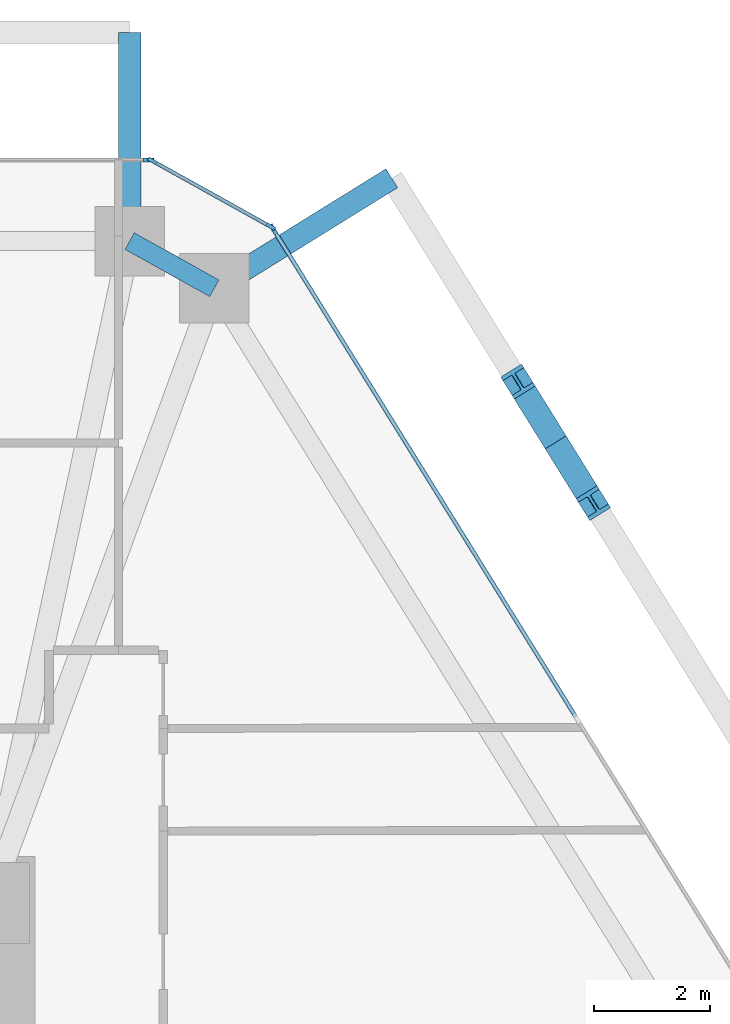
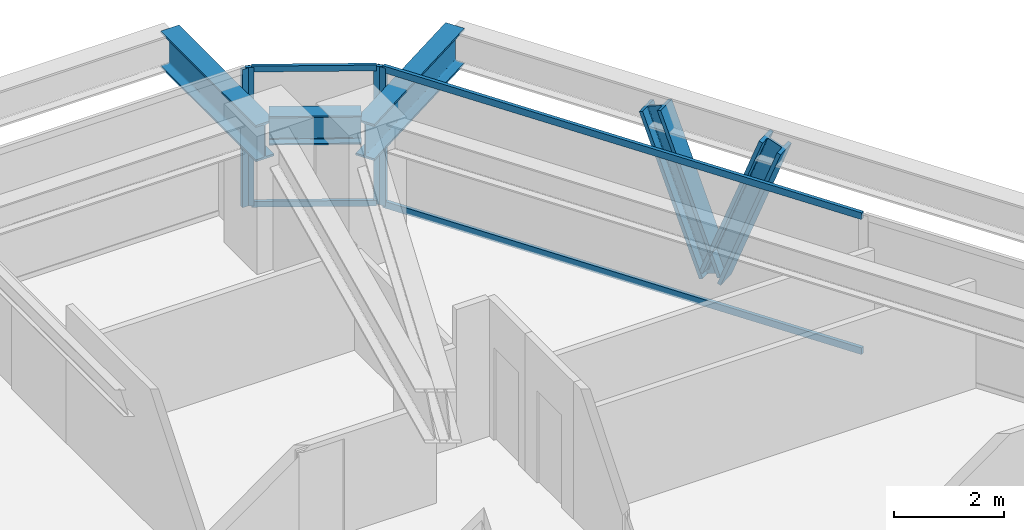
# One storey, part 8 of 14: 10 members, 3 beams, 3 elements without a shape of their own.
"""IFC4 building model written with IfcOpenShell, lengths in metres."""

from ifc_helpers import new_model, si_unit, direction, frame, origin, origin_2d, place, context, subcontext, project, spatial, rectangle, i_section, extrude, source, transform, mapped, material, layer, layer_set, material_profile, profile_set, type_object, type_shapes, element, aggregate, save


model = new_model("IFC4")

# Units and contexts
model_context = context("Model", 3, precision=1e-05, world=origin(), true_north=direction((0.0, 1.0)))
body_context = subcontext(model_context, "Body", "Model", "MODEL_VIEW")
ifc_project = project(units=[si_unit("LENGTHUNIT", "METRE"), si_unit("AREAUNIT", "SQUARE_METRE"), si_unit("VOLUMEUNIT", "CUBIC_METRE"), si_unit("PLANEANGLEUNIT", "RADIAN"), si_unit("MASSUNIT", "GRAM", prefix="KILO")], contexts=[model_context])

# Site, building, storey
site_placement = place(None, origin())
site = spatial("IfcSite", under=ifc_project, at=site_placement, CompositionType="ELEMENT")
building_placement = place(site_placement, origin())
building = spatial("IfcBuilding", under=site, at=building_placement, Name="Durnholm Broadcast Tower", CompositionType="ELEMENT")
storey_placement = place(building_placement, frame((0.0, 0.0, 114.0)))
storey = spatial("IfcBuildingStorey", under=building, at=storey_placement, Name="L30", CompositionType="ELEMENT", Elevation=114.0)

# Beams
ifc_material_1 = material(Name="Steel ASTM A992 Grade 50", Category="steel")
ifc_material_profile_1 = material_profile(ifc_material_1, i_section(OverallWidth=0.385009765625, OverallDepth=0.802978515625, WebThickness=0.023681640625, FlangeThickness=0.0419921875, FilletRadius=0.032958984375, at=origin_2d()), Name="W30X261")
ifc_profile_set_1 = profile_set([ifc_material_profile_1], Name="Steel ASTM A992 Grade 50")
beam_type_1 = type_object("IfcBeamType", Name="BM-EXO-TIE", PredefinedType="USERDEFINED", material=ifc_profile_set_1)
shared_shape_1 = source(origin(), body_context, "Body", "SweptSolid", [
    extrude(i_section(OverallWidth=0.385009765625, OverallDepth=0.802978515625, WebThickness=0.023681640625, FlangeThickness=0.0419921875, FilletRadius=0.032958984375, at=origin_2d()), origin(), (0.0, 0.0, 1.0), 3.4560546875),
])
beam_1_placement = place(storey_placement, frame((12.22998046875, 19.35888671875, 2.30859375), z_axis=(0.0, 1.0, 0.0), x_axis=(-1.0, 0.0, 0.0)))
element("IfcBeam", 1, at=beam_1_placement, inside=storey, type_object=beam_type_1, Name="L30 exoskeleton stand-off tie bracket F4.1", ObjectType="GIRDER", PredefinedType="USERDEFINED", context=body_context, shape_type="MappedRepresentation", body=[
    mapped(shared_shape_1, transform((0.0, 0.0, 0.0), x_axis=(1.0, 0.0, 0.0), y_axis=(0.0, 1.0, 0.0), z_axis=(0.0, 0.0, 1.0), scale=1.0)),
])
shared_shape_2 = source(origin(), body_context, "Body", "SweptSolid", [
    extrude(i_section(OverallWidth=0.385009765625, OverallDepth=0.802978515625, WebThickness=0.023681640625, FlangeThickness=0.0419921875, FilletRadius=0.032958984375, at=origin_2d()), origin(), (0.0, 0.0, 1.0), 3.455810546875),
])
type_shapes(beam_type_1, [shared_shape_1, shared_shape_2])
beam_2_placement = place(storey_placement, frame((13.814697265625, 18.477294921875, 2.30859375), z_axis=(0.849807128357, 0.527093772107, 0.0), x_axis=(-0.527093772107, 0.849807128357, 0.0)))
element("IfcBeam", 2, at=beam_2_placement, inside=storey, type_object=beam_type_1, Name="L30 exoskeleton stand-off tie bracket F3.2", ObjectType="GIRDER", PredefinedType="USERDEFINED", context=body_context, shape_type="MappedRepresentation", body=[
    mapped(shared_shape_2, transform((0.0, 0.0, 0.0), x_axis=(1.0, 0.0, 0.0), y_axis=(0.0, 1.0, 0.0), z_axis=(0.0, 0.0, 1.0), scale=1.0)),
])
ifc_material_profile_2 = material_profile(ifc_material_1, i_section(OverallWidth=0.3291015625, OverallDepth=0.635009765625, WebThickness=0.017822265625, FlangeThickness=0.031005859375, FilletRadius=0.02783203125, at=origin_2d()), Name="W24X162")
ifc_profile_set_2 = profile_set([ifc_material_profile_2], Name="Steel ASTM A992 Grade 50")
beam_type_2 = type_object("IfcBeamType", Name="STL-SP-W24X162", PredefinedType="SPANDREL", material=ifc_profile_set_2)
shared_shape_3 = source(origin(), body_context, "Body", "SweptSolid", [
    extrude(i_section(OverallWidth=0.3291015625, OverallDepth=0.635009765625, WebThickness=0.017822265625, FlangeThickness=0.031005859375, FilletRadius=0.02783203125, at=origin_2d()), origin(), (0.0, 0.0, 1.0), 1.67333984375),
])
type_shapes(beam_type_2, [shared_shape_3])
beam_3_placement = place(storey_placement, frame((12.22998046875, 19.215087890625, 2.7275390625), z_axis=(0.873799169188, -0.486286964586, 0.0), x_axis=(0.486286964586, 0.873799169188, 0.0)))
element("IfcBeam", 3, at=beam_3_placement, inside=storey, type_object=beam_type_2, Name="L30 perimeter spandrel girder 06", PredefinedType="SPANDREL", context=body_context, shape_type="MappedRepresentation", body=[
    mapped(shared_shape_3, transform((0.0, 0.0, 0.0), x_axis=(1.0, 0.0, 0.0), y_axis=(0.0, 1.0, 0.0), z_axis=(0.0, 0.0, 1.0), scale=1.0)),
])

# Members
ifc_material_2 = material(Name="Steel ASTM A913 Grade 65", Category="steel")
ifc_material_profile_3 = material_profile(ifc_material_2, i_section(OverallWidth=0.424072265625, OverallDepth=0.47412109375, WebThickness=0.047607421875, FlangeThickness=0.0771484375, FilletRadius=0.030517578125, at=origin_2d()), Name="W14X426")
ifc_profile_set_3 = profile_set([ifc_material_profile_3], Name="Steel ASTM A913 Grade 65")
member_type_1 = type_object("IfcMemberType", Name="STL-DG-W14X426", PredefinedType="BRACE", material=ifc_profile_set_3)
shared_shape_4 = source(origin(), body_context, "Body", "SweptSolid", [
    extrude(i_section(OverallWidth=0.424072265625, OverallDepth=0.47412109375, WebThickness=0.047607421875, FlangeThickness=0.0771484375, FilletRadius=0.030517578125, at=origin_2d()), origin(), (0.0, 0.0, 1.0), 3.523193359375),
])
member_1_placement = place(storey_placement, frame((19.576416015625, 15.74462890625, -0.991455078125), z_axis=(-0.184669768468, 0.297619758188, 0.936653381006), x_axis=(-0.849716575602, -0.52723973783, 0.0)))
element("IfcMember", 4, at=member_1_placement, inside=storey, type_object=member_type_1, Name="L30 stand-off diagrid brace F3.D2.2", PredefinedType="BRACE", context=body_context, shape_type="MappedRepresentation", body=[
    mapped(shared_shape_4, transform((0.0, 0.0, 0.0), x_axis=(1.0, 0.0, 0.0), y_axis=(0.0, 1.0, 0.0), z_axis=(0.0, 0.0, 1.0), scale=1.0)),
])
shared_shape_5 = source(origin(), body_context, "Body", "SweptSolid", [
    extrude(i_section(OverallWidth=0.424072265625, OverallDepth=0.47412109375, WebThickness=0.047607421875, FlangeThickness=0.0771484375, FilletRadius=0.030517578125, at=origin_2d()), origin(), (0.0, 0.0, 1.0), 3.52294921875),
])
type_shapes(member_type_1, [shared_shape_4, shared_shape_5])
member_2_placement = place(storey_placement, frame((19.576416015625, 15.74462890625, -0.991455078125), z_axis=(0.184539706302, -0.297564212865, 0.936696661689), x_axis=(0.849838868368, 0.527042595823, 0.0)))
element("IfcMember", 5, at=member_2_placement, inside=storey, type_object=member_type_1, Name="L30 stand-off diagrid brace F3.D2.1", PredefinedType="BRACE", context=body_context, shape_type="MappedRepresentation", body=[
    mapped(shared_shape_5, transform((0.0, 0.0, 0.0), x_axis=(1.0, 0.0, 0.0), y_axis=(0.0, 1.0, 0.0), z_axis=(0.0, 0.0, 1.0), scale=1.0)),
])

# Curtain wall, members
ifc_material_3 = material(Name="Aluminium and Solar Control IGU", Category="aluminium")
ifc_layer_1 = layer(ifc_material_3, 0.1650390625)
ifc_layer_set_1 = layer_set([ifc_layer_1], Name="Aluminium and Solar Control IGU")
curtain_wall_type_1 = type_object("IfcCurtainWallType", Name="CW-SYS-5", PredefinedType="NOTDEFINED", material=ifc_layer_set_1)
curtain_wall_1_placement = place(storey_placement, origin())
curtain_wall_1 = element("IfcCurtainWall", 6, at=curtain_wall_1_placement, inside=storey, type_object=curtain_wall_type_1, Name="L30 curtain wall CW-CORNER CW-L30-CRN-05", PredefinedType="NOTDEFINED")
ifc_material_4 = material(Name="Aluminium 6063-T6", Category="aluminium")
ifc_material_profile_4 = material_profile(ifc_material_4, rectangle(XDim=0.06494140625, YDim=0.1650390625, at=origin_2d()), Name="CWM65X165")
ifc_profile_set_4 = profile_set([ifc_material_profile_4], Name="Aluminium 6063-T6")
member_type_2 = type_object("IfcMemberType", Name="CW-SYS-5-MUL", PredefinedType="MULLION", material=ifc_profile_set_4)
shared_shape_6 = source(origin(), body_context, "Body", "SweptSolid", [
    extrude(rectangle(XDim=0.06494140625, YDim=0.1650390625, at=origin_2d()), origin(), (0.0, 0.0, 1.0), 3.06005859375),
])
type_shapes(member_type_2, [shared_shape_6])
member_3_placement = place(storey_placement, frame((12.62158203125, 20.59912109375, 0.0), z_axis=(0.0, 0.0, 1.0), x_axis=(0.486244224192, 0.873822953715, 0.0)))
member_3 = element("IfcMember", 7, at=member_3_placement, type_object=member_type_2, Name="CW-CORNER mullion 1", PredefinedType="MULLION", context=body_context, shape_type="MappedRepresentation", body=[
    mapped(shared_shape_6, transform((0.0, 0.0, 0.0), x_axis=(1.0, 0.0, 0.0), y_axis=(0.0, 1.0, 0.0), z_axis=(0.0, 0.0, 1.0), scale=1.0)),
])
member_4_placement = place(storey_placement, frame((14.662109375, 19.4638671875, 0.0), z_axis=(0.0, 0.0, 1.0), x_axis=(0.486244224192, 0.873822953715, 0.0)))
member_4 = element("IfcMember", 8, at=member_4_placement, type_object=member_type_2, Name="CW-CORNER mullion 2", PredefinedType="MULLION", context=body_context, shape_type="MappedRepresentation", body=[
    mapped(shared_shape_6, transform((0.0, 0.0, 0.0), x_axis=(1.0, 0.0, 0.0), y_axis=(0.0, 1.0, 0.0), z_axis=(0.0, 0.0, 1.0), scale=1.0)),
])

# Curtain wall, member
ifc_layer_2 = layer(ifc_material_3, 0.18994140625)
ifc_layer_set_2 = layer_set([ifc_layer_2], Name="Aluminium and Solar Control IGU")
curtain_wall_type_2 = type_object("IfcCurtainWallType", Name="CW-SYS-3", PredefinedType="NOTDEFINED", material=ifc_layer_set_2)
curtain_wall_2_placement = place(storey_placement, origin())
curtain_wall_2 = element("IfcCurtainWall", 9, at=curtain_wall_2_placement, inside=storey, type_object=curtain_wall_type_2, Name="L30 curtain wall CW-Z12-VIS CW-L30-F04", PredefinedType="NOTDEFINED")
ifc_material_profile_5 = material_profile(ifc_material_4, rectangle(XDim=0.070068359375, YDim=0.18994140625, at=origin_2d()), Name="CWM70X190")
ifc_profile_set_5 = profile_set([ifc_material_profile_5], Name="Aluminium 6063-T6")
member_type_3 = type_object("IfcMemberType", Name="CW-SYS-3-MUL", PredefinedType="MULLION", material=ifc_profile_set_5)
shared_shape_7 = source(origin(), body_context, "Body", "SweptSolid", [
    extrude(rectangle(XDim=0.070068359375, YDim=0.18994140625, at=origin_2d()), origin(), (0.0, 0.0, 1.0), 3.06005859375),
])
type_shapes(member_type_3, [shared_shape_7])
member_5_placement = place(storey_placement, frame((12.55810546875, 20.614990234375, 0.0), z_axis=(0.0, 0.0, 1.0), x_axis=(0.0, 1.0, 0.0)))
member_5 = element("IfcMember", 10, at=member_5_placement, type_object=member_type_3, Name="CW-Z12-VIS mullion 3", PredefinedType="MULLION", context=body_context, shape_type="MappedRepresentation", body=[
    mapped(shared_shape_7, transform((0.0, 0.0, 0.0), x_axis=(1.0, 0.0, 0.0), y_axis=(0.0, 1.0, 0.0), z_axis=(0.0, 0.0, 1.0), scale=1.0)),
])
aggregate(curtain_wall_2, [member_5])

curtain_wall_3_placement = place(storey_placement, origin())
curtain_wall_3 = element("IfcCurtainWall", 11, at=curtain_wall_3_placement, inside=storey, type_object=curtain_wall_type_2, Name="L30 curtain wall CW-Z12-VIS CW-L30-F06", PredefinedType="NOTDEFINED")
member_6_placement = place(storey_placement, frame((14.708740234375, 19.418212890625, 0.0), z_axis=(0.0, 0.0, 1.0), x_axis=(0.849799925229, 0.527105385176, 0.0)))
member_6 = element("IfcMember", 12, at=member_6_placement, type_object=member_type_3, Name="CW-Z12-VIS mullion 1", PredefinedType="MULLION", context=body_context, shape_type="MappedRepresentation", body=[
    mapped(shared_shape_7, transform((0.0, 0.0, 0.0), x_axis=(1.0, 0.0, 0.0), y_axis=(0.0, 1.0, 0.0), z_axis=(0.0, 0.0, 1.0), scale=1.0)),
])

# Member
ifc_material_profile_6 = material_profile(ifc_material_4, rectangle(XDim=0.06494140625, YDim=0.1298828125, at=origin_2d()), Name="CWT65X130")
ifc_profile_set_6 = profile_set([ifc_material_profile_6], Name="Aluminium 6063-T6")
member_type_4 = type_object("IfcMemberType", Name="CW-SYS-5-TRN", PredefinedType="USERDEFINED", material=ifc_profile_set_6)
shared_shape_8 = source(origin(), body_context, "Body", "SweptSolid", [
    extrude(rectangle(XDim=0.06494140625, YDim=0.1298828125, at=origin_2d()), origin(), (0.0, 0.0, 1.0), 2.270263671875),
])
type_shapes(member_type_4, [shared_shape_8])
member_7_placement = place(storey_placement, frame((12.64990234375, 20.58349609375, 0.032470703125), z_axis=(0.873786708897, -0.486309353555, 0.0), x_axis=(0.486309353555, 0.873786708897, 0.0)))
member_7 = element("IfcMember", 13, at=member_7_placement, type_object=member_type_4, Name="CW-CORNER transom 1.1", ObjectType="TRANSOM", PredefinedType="USERDEFINED", context=body_context, shape_type="MappedRepresentation", body=[
    mapped(shared_shape_8, transform((0.0, 0.0, 0.0), x_axis=(1.0, 0.0, 0.0), y_axis=(0.0, 1.0, 0.0), z_axis=(0.0, 0.0, 1.0), scale=1.0)),
])

member_8_placement = place(storey_placement, frame((12.64990234375, 20.58349609375, 3.027587890625), z_axis=(0.873786708897, -0.486309353555, 0.0), x_axis=(0.486309353555, 0.873786708897, 0.0)))
member_8 = element("IfcMember", 14, at=member_8_placement, type_object=member_type_4, Name="CW-CORNER transom 1.2", ObjectType="TRANSOM", PredefinedType="USERDEFINED", context=body_context, shape_type="MappedRepresentation", body=[
    mapped(shared_shape_8, transform((0.0, 0.0, 0.0), x_axis=(1.0, 0.0, 0.0), y_axis=(0.0, 1.0, 0.0), z_axis=(0.0, 0.0, 1.0), scale=1.0)),
])

aggregate(curtain_wall_1, [member_3, member_4, member_7, member_8])

ifc_material_profile_7 = material_profile(ifc_material_4, rectangle(XDim=0.070068359375, YDim=0.14990234375, at=origin_2d()), Name="CWT70X150")
ifc_profile_set_7 = profile_set([ifc_material_profile_7], Name="Aluminium 6063-T6")
member_type_5 = type_object("IfcMemberType", Name="CW-SYS-3-TRN", PredefinedType="USERDEFINED", material=ifc_profile_set_7)
shared_shape_9 = source(origin(), body_context, "Body", "SweptSolid", [
    extrude(rectangle(XDim=0.070068359375, YDim=0.14990234375, at=origin_2d()), origin(), (0.0, 0.0, 1.0), 9.858642578125),
])
type_shapes(member_type_5, [shared_shape_9])
member_9_placement = place(storey_placement, frame((14.727294921875, 19.388427734375, 0.034912109375), z_axis=(0.527102081419, -0.849801974441, 0.0), x_axis=(0.849801974441, 0.527102081419, 0.0)))
member_9 = element("IfcMember", 15, at=member_9_placement, type_object=member_type_5, Name="CW-Z12-VIS transom 1.1", ObjectType="TRANSOM", PredefinedType="USERDEFINED", context=body_context, shape_type="MappedRepresentation", body=[
    mapped(shared_shape_9, transform((0.0, 0.0, 0.0), x_axis=(1.0, 0.0, 0.0), y_axis=(0.0, 1.0, 0.0), z_axis=(0.0, 0.0, 1.0), scale=1.0)),
])

member_10_placement = place(storey_placement, frame((14.727294921875, 19.388427734375, 3.02490234375), z_axis=(0.527102081419, -0.849801974441, 0.0), x_axis=(0.849801974441, 0.527102081419, 0.0)))
member_10 = element("IfcMember", 16, at=member_10_placement, type_object=member_type_5, Name="CW-Z12-VIS transom 1.2", ObjectType="TRANSOM", PredefinedType="USERDEFINED", context=body_context, shape_type="MappedRepresentation", body=[
    mapped(shared_shape_9, transform((0.0, 0.0, 0.0), x_axis=(1.0, 0.0, 0.0), y_axis=(0.0, 1.0, 0.0), z_axis=(0.0, 0.0, 1.0), scale=1.0)),
])

aggregate(curtain_wall_3, [member_6, member_9, member_10])

save(model, "model.ifc")
